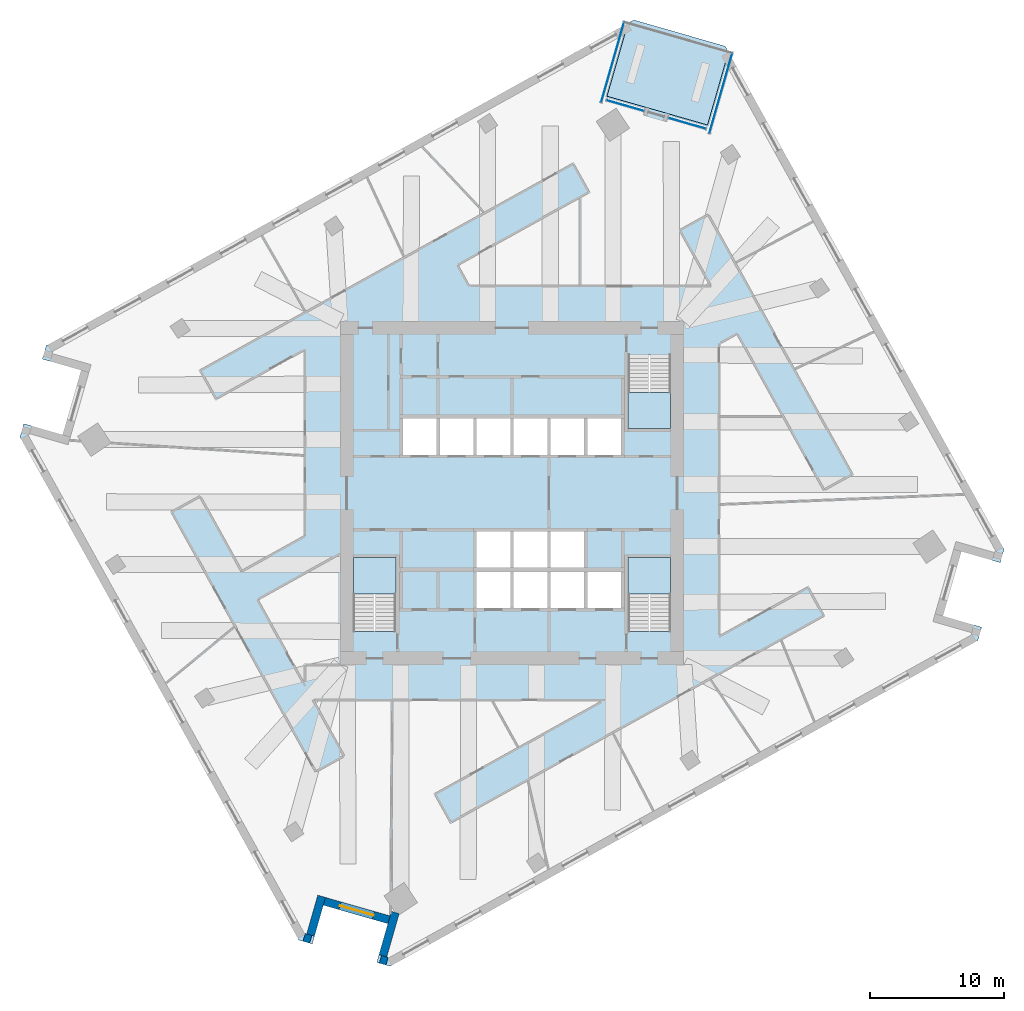
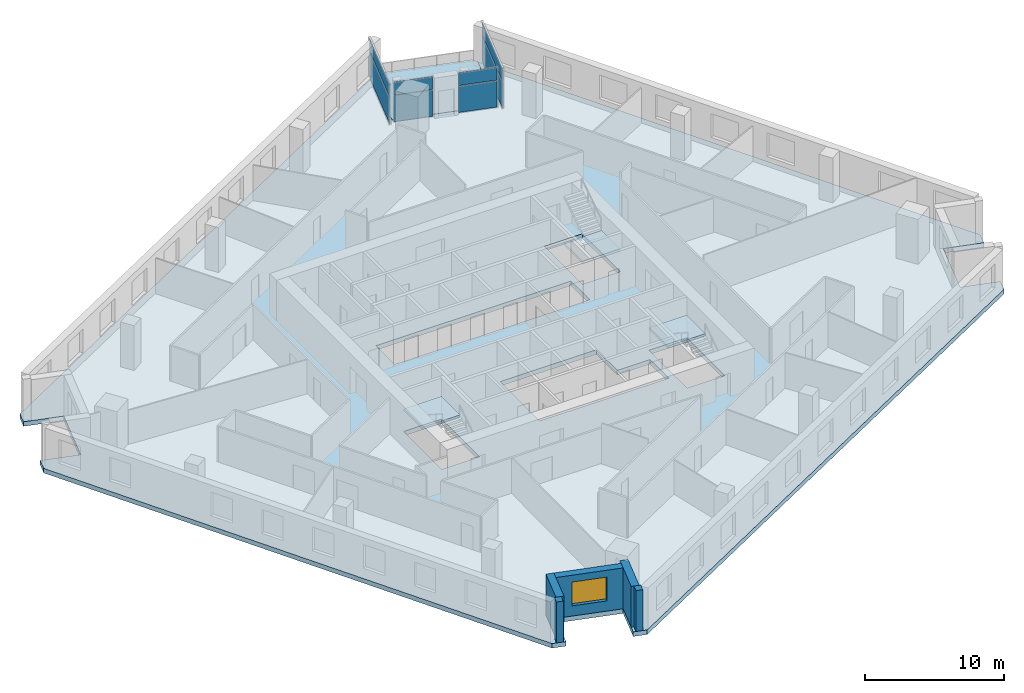
# One storey, part 3 of 11: 8 plates, 5 slabs, 5 walls, 1 window, 1 opening, 7 elements without a shape of their own.
"""IFC4 building model written with IfcOpenShell, lengths in metres."""

from ifc_helpers import new_model, si_unit, direction, frame, frame_2d, origin, origin_2d, place, context, subcontext, project, spatial, polyline, rectangle, outline, extrude, material, layer, layer_set, type_object, element, fill, aggregate, save


model = new_model("IFC4")

# Units and contexts
model_context = context("Model", 3, precision=1e-05, world=origin(), true_north=direction((0.0, 1.0)))
body_context = subcontext(model_context, "Body", "Model", "MODEL_VIEW")
ifc_project = project(units=[si_unit("LENGTHUNIT", "METRE"), si_unit("AREAUNIT", "SQUARE_METRE"), si_unit("VOLUMEUNIT", "CUBIC_METRE"), si_unit("PLANEANGLEUNIT", "RADIAN"), si_unit("MASSUNIT", "GRAM", prefix="KILO")], contexts=[model_context])

# Site, building, storey
site_placement = place(None, origin())
site = spatial("IfcSite", under=ifc_project, at=site_placement, CompositionType="ELEMENT")
building_placement = place(site_placement, origin())
building = spatial("IfcBuilding", under=site, at=building_placement, Name="Dilmun Exchange Tower", CompositionType="ELEMENT")
storey_placement = place(building_placement, frame((0.0, 0.0, 135.699951171875)))
storey = spatial("IfcBuildingStorey", under=building, at=storey_placement, Name="L31", CompositionType="ELEMENT", Elevation=135.699951171875)

# Stair, slab
ifc_material_1 = material(Name="Concrete C40/50", Category="concrete")
stair_type = type_object("IfcStairType", Name="Exit stair 1500 half-turn", PredefinedType="HALF_TURN_STAIR", material=ifc_material_1)
stair_1_placement = place(storey_placement, origin())
stair_1 = element("IfcStair", 1, at=stair_1_placement, inside=storey, type_object=stair_type, Name="L31 Protected exit stair ST1", PredefinedType="HALF_TURN_STAIR")
ifc_layer_1 = layer(ifc_material_1, 0.199951171875)
ifc_layer_set_1 = layer_set([ifc_layer_1], Name="Concrete C40/50")
slab_type_1 = type_object("IfcSlabType", Name="Exit stair landing 200", PredefinedType="LANDING", material=ifc_layer_set_1)
slab_1_placement = place(storey_placement, frame((0.0, 0.0, 1.800048828125)))
slab_1 = element("IfcSlab", 2, at=slab_1_placement, type_object=slab_type_1, Name="ST1 landing 1", PredefinedType="LANDING", context=body_context, shape_type="SweptSolid", body=[
    extrude(outline(polyline([(8.64990234375, 7.5), (8.64990234375, 4.800048828125), (11.800048828125, 4.800048828125), (11.800048828125, 7.5), (8.64990234375, 7.5)])), origin(), (0.0, 0.0, 1.0), 0.199951171875),
])
aggregate(stair_1, [slab_1])

stair_2_placement = place(storey_placement, origin())
stair_2 = element("IfcStair", 3, at=stair_2_placement, inside=storey, type_object=stair_type, Name="L31 Protected exit stair ST2", PredefinedType="HALF_TURN_STAIR")
slab_2_placement = place(storey_placement, frame((0.0, 0.0, 1.800048828125)))
slab_2 = element("IfcSlab", 4, at=slab_2_placement, type_object=slab_type_1, Name="ST2 landing 1", PredefinedType="LANDING", context=body_context, shape_type="SweptSolid", body=[
    extrude(outline(polyline([(-8.64990234375, -7.5), (-8.64990234375, -4.800048828125), (-11.800048828125, -4.800048828125), (-11.800048828125, -7.5), (-8.64990234375, -7.5)])), origin(), (0.0, 0.0, 1.0), 0.199951171875),
])
aggregate(stair_2, [slab_2])

stair_3_placement = place(storey_placement, origin())
stair_3 = element("IfcStair", 5, at=stair_3_placement, inside=storey, type_object=stair_type, Name="L31 Protected exit stair ST3", PredefinedType="HALF_TURN_STAIR")
slab_3_placement = place(storey_placement, frame((0.0, 0.0, 1.800048828125)))
slab_3 = element("IfcSlab", 6, at=slab_3_placement, type_object=slab_type_1, Name="ST3 landing 1", PredefinedType="LANDING", context=body_context, shape_type="SweptSolid", body=[
    extrude(outline(polyline([(11.800048828125, -7.5), (11.800048828125, -4.800048828125), (8.64990234375, -4.800048828125), (8.64990234375, -7.5), (11.800048828125, -7.5)])), origin(), (0.0, 0.0, 1.0), 0.199951171875),
])
aggregate(stair_3, [slab_3])

# Curtain wall, plates
ifc_material_2 = material(Name="Anodised aluminium and clear glass", Category="aluminium")
curtain_wall_type = type_object("IfcCurtainWallType", Name="Garden corner glazing", PredefinedType="NOTDEFINED", material=ifc_material_2)
curtain_wall_1_placement = place(storey_placement, origin())
curtain_wall_1 = element("IfcCurtainWall", 7, at=curtain_wall_1_placement, inside=storey, type_object=curtain_wall_type, Name="Garden corner glazing run GC1.1", PredefinedType="NOTDEFINED")
ifc_material_3 = material(Name="Clear glass", Category="glass")
ifc_layer_2 = layer(ifc_material_3, 0.028076171875)
ifc_layer_set_2 = layer_set([ifc_layer_2], Name="Clear glass")
plate_type = type_object("IfcPlateType", Name="Garden corner glazing glass panel 28", PredefinedType="CURTAIN_PANEL", material=ifc_layer_set_2)
plate_1_placement = place(storey_placement, frame((15.533447265625, 29.739013671875, 0.06005859375), z_axis=(0.0, 0.0, 1.0), x_axis=(-0.275632327054, -0.961263137899, 0.0)))
plate_1 = element("IfcPlate", 8, at=plate_1_placement, type_object=plate_type, Name="GC1.1 panel 1.1", PredefinedType="CURTAIN_PANEL", context=body_context, shape_type="SweptSolid", body=[
    extrude(rectangle(XDim=6.12646484375, YDim=0.028076171875, at=origin_2d()), origin(), (0.0, 0.0, 1.0), 2.31005859375),
])
plate_2_placement = place(storey_placement, frame((15.533447265625, 29.739013671875, 2.43017578125), z_axis=(0.0, 0.0, 1.0), x_axis=(-0.275632327054, -0.961263137899, 0.0)))
plate_2 = element("IfcPlate", 9, at=plate_2_placement, type_object=plate_type, Name="GC1.1 panel 1.2", PredefinedType="CURTAIN_PANEL", context=body_context, shape_type="SweptSolid", body=[
    extrude(rectangle(XDim=6.12646484375, YDim=0.028076171875, at=origin_2d()), origin(), (0.0, 0.0, 1.0), 1.110107421875),
])
aggregate(curtain_wall_1, [plate_1, plate_2])

curtain_wall_2_placement = place(storey_placement, origin())
curtain_wall_2 = element("IfcCurtainWall", 10, at=curtain_wall_2_placement, inside=storey, type_object=curtain_wall_type, Name="Garden corner glazing run GC2.1", PredefinedType="NOTDEFINED")
plate_3_placement = place(storey_placement, frame((13.0302734375, 27.519775390625, 0.06005859375), z_axis=(0.0, 0.0, 1.0), x_axis=(-0.96125332038, 0.275666563186, 0.0)))
plate_3 = element("IfcPlate", 11, at=plate_3_placement, type_object=plate_type, Name="GC2.1 panel 1.1", PredefinedType="CURTAIN_PANEL", context=body_context, shape_type="SweptSolid", body=[
    extrude(rectangle(XDim=2.869140625, YDim=0.028076171875, at=origin_2d()), origin(), (0.0, 0.0, 1.0), 2.31005859375),
])
plate_4_placement = place(storey_placement, frame((13.0302734375, 27.519775390625, 2.43017578125), z_axis=(0.0, 0.0, 1.0), x_axis=(-0.96125332038, 0.275666563186, 0.0)))
plate_4 = element("IfcPlate", 12, at=plate_4_placement, type_object=plate_type, Name="GC2.1 panel 1.2", PredefinedType="CURTAIN_PANEL", context=body_context, shape_type="SweptSolid", body=[
    extrude(rectangle(XDim=2.869140625, YDim=0.028076171875, at=origin_2d()), origin(), (0.0, 0.0, 1.0), 1.110107421875),
])
aggregate(curtain_wall_2, [plate_3, plate_4])

curtain_wall_3_placement = place(storey_placement, origin())
curtain_wall_3 = element("IfcCurtainWall", 13, at=curtain_wall_3_placement, inside=storey, type_object=curtain_wall_type, Name="Garden corner glazing run GC2.3", PredefinedType="NOTDEFINED")
plate_5_placement = place(storey_placement, frame((8.4267578125, 28.83984375, 0.06005859375), z_axis=(0.0, 0.0, 1.0), x_axis=(-0.961262184967, 0.275635650366, 0.0)))
plate_5 = element("IfcPlate", 14, at=plate_5_placement, type_object=plate_type, Name="GC2.3 panel 1.1", PredefinedType="CURTAIN_PANEL", context=body_context, shape_type="SweptSolid", body=[
    extrude(rectangle(XDim=2.869140625, YDim=0.028076171875, at=origin_2d()), origin(), (0.0, 0.0, 1.0), 2.31005859375),
])
plate_6_placement = place(storey_placement, frame((8.4267578125, 28.83984375, 2.43017578125), z_axis=(0.0, 0.0, 1.0), x_axis=(-0.961262184967, 0.275635650366, 0.0)))
plate_6 = element("IfcPlate", 15, at=plate_6_placement, type_object=plate_type, Name="GC2.3 panel 1.2", PredefinedType="CURTAIN_PANEL", context=body_context, shape_type="SweptSolid", body=[
    extrude(rectangle(XDim=2.869140625, YDim=0.028076171875, at=origin_2d()), origin(), (0.0, 0.0, 1.0), 1.110107421875),
])
aggregate(curtain_wall_3, [plate_5, plate_6])

curtain_wall_4_placement = place(storey_placement, origin())
curtain_wall_4 = element("IfcCurtainWall", 16, at=curtain_wall_4_placement, inside=storey, type_object=curtain_wall_type, Name="Garden corner glazing run GC3.1", PredefinedType="NOTDEFINED")
plate_7_placement = place(storey_placement, frame((7.47998046875, 32.04833984375, 0.06005859375), z_axis=(0.0, 0.0, 1.0), x_axis=(0.275628085354, 0.961264354152, 0.0)))
plate_7 = element("IfcPlate", 17, at=plate_7_placement, type_object=plate_type, Name="GC3.1 panel 1.1", PredefinedType="CURTAIN_PANEL", context=body_context, shape_type="SweptSolid", body=[
    extrude(rectangle(XDim=6.12646484375, YDim=0.028076171875, at=origin_2d()), origin(), (0.0, 0.0, 1.0), 2.31005859375),
])
plate_8_placement = place(storey_placement, frame((7.47998046875, 32.04833984375, 2.43017578125), z_axis=(0.0, 0.0, 1.0), x_axis=(0.275628085354, 0.961264354152, 0.0)))
plate_8 = element("IfcPlate", 18, at=plate_8_placement, type_object=plate_type, Name="GC3.1 panel 1.2", PredefinedType="CURTAIN_PANEL", context=body_context, shape_type="SweptSolid", body=[
    extrude(rectangle(XDim=6.12646484375, YDim=0.028076171875, at=origin_2d()), origin(), (0.0, 0.0, 1.0), 1.110107421875),
])
aggregate(curtain_wall_4, [plate_7, plate_8])

# Slabs
ifc_layer_3 = layer(ifc_material_1, 0.39990234375)
ifc_layer_set_3 = layer_set([ifc_layer_3], Name="Concrete C40/50")
slab_type_2 = type_object("IfcSlabType", Name="RC floor slab 400", PredefinedType="FLOOR", material=ifc_layer_set_3)
slab_4_placement = place(storey_placement, frame((0.0, 0.0, -0.39990234375)))
element("IfcSlab", 19, at=slab_4_placement, inside=storey, type_object=slab_type_2, Name="Floor slab", PredefinedType="FLOOR", context=body_context, shape_type="SweptSolid", body=[
    extrude(outline(polyline([(36.328125, -5.16796875), (33.4443359375, -4.341064453125), (32.066162109375, -9.1474609375), (34.949951171875, -9.974365234375), (34.66455078125, -10.9697265625), (-9.06640625, -35.210205078125), (-10.06201171875, -34.9248046875), (-9.235107421875, -32.041015625), (-14.041259765625, -30.662841796875), (-14.8681640625, -33.546630859375), (-15.86376953125, -33.26123046875), (-36.613525390625, 4.172607421875), (-36.328125, 5.16796875), (-33.4443359375, 4.341064453125), (-32.066162109375, 9.1474609375), (-34.949951171875, 9.974365234375), (-34.66455078125, 10.9697265625), (8.629150390625, 34.9677734375), (7.07275390625, 29.5400390625), (14.5498046875, 27.39599609375), (16.106201171875, 32.82373046875), (36.613525390625, -4.172607421875), (36.328125, -5.16796875)]), holes=[polyline([(-8.64990234375, -4.800048828125), (-11.800048828125, -4.800048828125), (-11.800048828125, -10.294921875), (-8.64990234375, -10.294921875), (-8.64990234375, -4.800048828125)]), polyline([(11.800048828125, -4.800048828125), (8.64990234375, -4.800048828125), (8.64990234375, -10.294921875), (11.800048828125, -10.294921875), (11.800048828125, -4.800048828125)]), polyline([(5.375, -2.85009765625), (-2.625, -2.85009765625), (-2.625, -8.550048828125), (8.125, -8.550048828125), (8.125, -5.85009765625), (5.375, -5.85009765625), (5.375, -2.85009765625)]), polyline([(8.125, 2.85009765625), (8.125, 5.550048828125), (-8.125, 5.550048828125), (-8.125, 2.85009765625), (8.125, 2.85009765625)]), polyline([(8.64990234375, 10.294921875), (8.64990234375, 4.800048828125), (11.800048828125, 4.800048828125), (11.800048828125, 10.294921875), (8.64990234375, 10.294921875)])]), origin(), (0.0, 0.0, 1.0), 0.39990234375),
])
ifc_layer_4 = layer(ifc_material_1, 0.300048828125)
ifc_layer_set_4 = layer_set([ifc_layer_4], Name="Concrete C40/50")
slab_type_3 = type_object("IfcSlabType", Name="RC garden terrace slab 300", PredefinedType="FLOOR", material=ifc_layer_set_4)
slab_5_placement = place(storey_placement, frame((0.0, 0.0, -0.300048828125)))
element("IfcSlab", 20, at=slab_5_placement, inside=storey, type_object=slab_type_3, Name="Garden terrace slab", PredefinedType="FLOOR", context=body_context, shape_type="SweptSolid", body=[
    extrude(outline(polyline([(7.07275390625, 29.5400390625), (8.629150390625, 34.9677734375), (9.06640625, 35.210205078125), (15.86376953125, 33.26123046875), (16.106201171875, 32.82373046875), (14.5498046875, 27.39599609375), (7.07275390625, 29.5400390625)])), origin(), (0.0, 0.0, 1.0), 0.300048828125),
])

# Walls
ifc_material_4 = material(Name="Precast concrete C50/60", Category="concrete")
ifc_layer_5 = layer(ifc_material_4, 0.60009765625)
ifc_layer_set_5 = layer_set([ifc_layer_5], Name="Precast concrete C50/60")
wall_type = type_object("IfcWallType", Name="Precast stone-clad wall 600", PredefinedType="STANDARD", material=ifc_layer_set_5)
wall_1_placement = place(storey_placement, frame((-15.46923828125, -33.062255859375, 0.0), z_axis=(0.0, 0.0, 1.0), x_axis=(0.961289332823, -0.275540956303, 0.0)))
element("IfcWall", 21, at=wall_1_placement, inside=storey, type_object=wall_type, Name="Facade wall L31-10", PredefinedType="STANDARD", context=body_context, shape_type="SweptSolid", body=[
    extrude(rectangle(XDim=0.51123046875, YDim=0.60009765625, at=frame_2d((0.255615234375, 0.0))), origin(), (0.0, 0.0, 1.0), 3.60009765625),
])
wall_2_placement = place(storey_placement, frame((-14.9912109375, -32.88720703125, 0.0), z_axis=(0.0, 0.0, 1.0), x_axis=(0.275634611374, 0.96126248289, 0.0)))
element("IfcWall", 22, at=wall_2_placement, inside=storey, type_object=wall_type, Name="Facade wall L31-11", PredefinedType="STANDARD", context=body_context, shape_type="SweptSolid", body=[
    extrude(rectangle(XDim=3.0, YDim=0.60009765625, at=frame_2d((1.5, 0.0))), origin(), (0.0, 0.0, 1.0), 3.60009765625),
])

# Wall, opening, window
wall_3_placement = place(storey_placement, frame((-13.95849609375, -30.37451171875, 0.0), z_axis=(0.0, 0.0, 1.0), x_axis=(0.961260009649, -0.275643236537, 0.0)))
wall_3 = element("IfcWall", 23, at=wall_3_placement, inside=storey, type_object=wall_type, Name="Facade wall L31-12", PredefinedType="STANDARD", context=body_context, shape_type="SweptSolid", body=[
    extrude(rectangle(XDim=4.999755859375, YDim=0.60009765625, at=frame_2d((2.5, 0.0))), origin(), (0.0, 0.0, 1.0), 3.60009765625),
])
opening_placement = place(wall_3_placement, frame((1.199951171875, 0.0, 0.89990234375)))
opening = element("IfcOpeningElement", 24, at=opening_placement, cuts=wall_3, Name="Opening W260-210", PredefinedType="OPENING", context=body_context, shape_type="SweptSolid", body=[
    extrude(rectangle(XDim=2.60009765625, YDim=2.10009765625, at=frame_2d((1.300048828125, 1.050048828125))), frame((0.0, 0.31005859375, 0.0), z_axis=(0.0, -1.0, 0.0), x_axis=(1.0, 0.0, 0.0)), (0.0, 0.0, 1.0), 0.6201171875),
])
ifc_material_5 = material(Name="Clear low-emissivity glass in aluminium frame", Category="aluminium")
window_type = type_object("IfcWindowType", Name="Punched window 2600 x 2100", PartitioningType="DOUBLE_PANEL_VERTICAL", PredefinedType="WINDOW", material=ifc_material_5)
window_placement = place(opening_placement, origin())
window = element("IfcWindow", 25, at=window_placement, inside=storey, type_object=window_type, Name="Window 13.1", OverallHeight=2.10009765625, OverallWidth=2.60009765625, PartitioningType="SINGLE_PANEL", PredefinedType="WINDOW", context=body_context, shape_type="SweptSolid", body=[
    extrude(rectangle(XDim=2.60009765625, YDim=2.10009765625, at=frame_2d((1.300048828125, 1.050048828125))), frame((0.0, 0.030029296875, 0.0), z_axis=(0.0, -1.0, 0.0), x_axis=(1.0, 0.0, 0.0)), (0.0, 0.0, 1.0), 0.06005859375),
])
fill(opening, window)

# Walls
wall_4_placement = place(storey_placement, frame((-8.68310546875, -31.205078125, 0.0), z_axis=(0.0, 0.0, 1.0), x_axis=(-0.275672311862, -0.961251671766, 0.0)))
element("IfcWall", 26, at=wall_4_placement, inside=storey, type_object=wall_type, Name="Facade wall L31-13", PredefinedType="STANDARD", context=body_context, shape_type="SweptSolid", body=[
    extrude(rectangle(XDim=3.355712890625, YDim=0.60009765625, at=frame_2d((1.677734375, 0.0))), origin(), (0.0, 0.0, 1.0), 3.60009765625),
])
wall_5_placement = place(storey_placement, frame((-9.787109375, -34.69140625, 0.0), z_axis=(0.0, 0.0, 1.0), x_axis=(0.96119910246, -0.275855551749, 0.0)))
element("IfcWall", 27, at=wall_5_placement, inside=storey, type_object=wall_type, Name="Facade wall L31-14", PredefinedType="STANDARD", context=body_context, shape_type="SweptSolid", body=[
    extrude(rectangle(XDim=0.511474609375, YDim=0.60009765625, at=frame_2d((0.255859375, 0.0))), origin(), (0.0, 0.0, 1.0), 3.60009765625),
])

save(model, "model.ifc")
